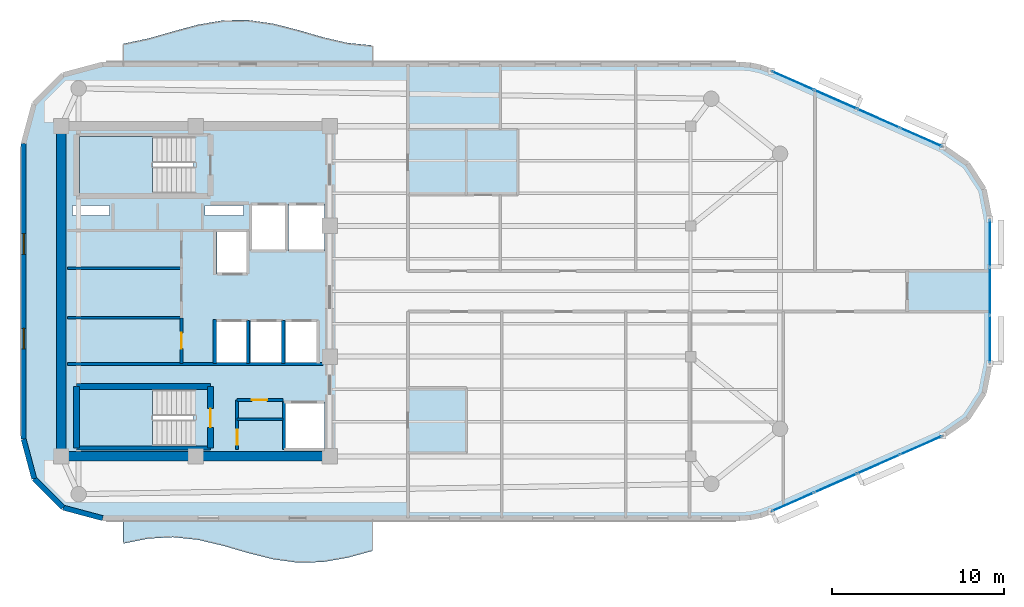
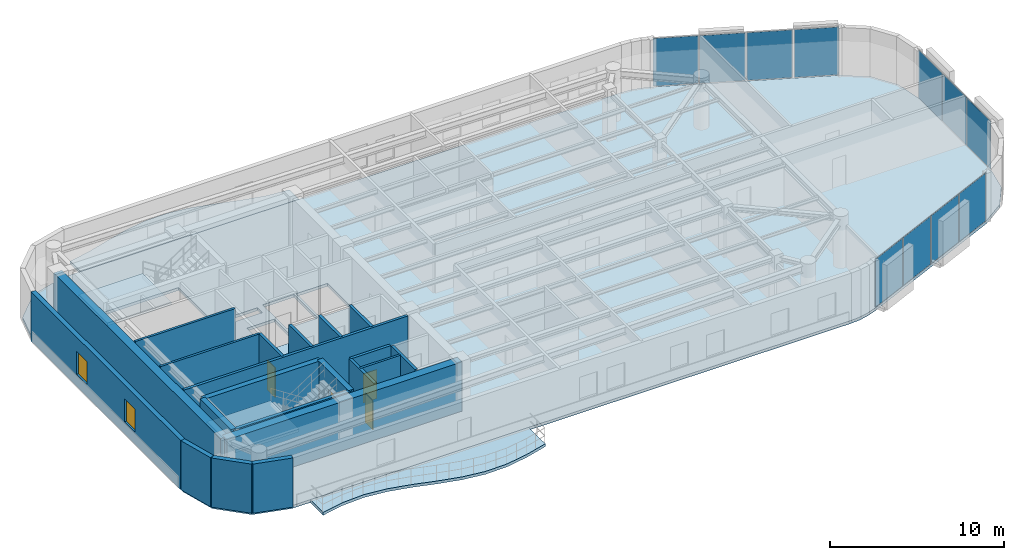
# One storey, part 7 of 14: 21 walls, 11 plates, 5 slabs, 4 doors, 2 windows, 6 openings, 5 elements without a shape of their own.
"""IFC4 building model written with IfcOpenShell, lengths in metres."""

from ifc_helpers import new_model, si_unit, direction, frame, frame_2d, origin, origin_2d, place, context, subcontext, project, spatial, polyline, rectangle, outline, extrude, material, layer, layer_set, type_object, element, fill, aggregate, save


model = new_model("IFC4")

# Units and contexts
model_context = context("Model", 3, precision=1e-05, world=origin(), true_north=direction((0.0, 1.0)))
body_context = subcontext(model_context, "Body", "Model", "MODEL_VIEW")
ifc_project = project(units=[si_unit("LENGTHUNIT", "METRE"), si_unit("AREAUNIT", "SQUARE_METRE"), si_unit("VOLUMEUNIT", "CUBIC_METRE"), si_unit("PLANEANGLEUNIT", "RADIAN"), si_unit("MASSUNIT", "GRAM", prefix="KILO")], contexts=[model_context])

# Site, building, storey
site_placement = place(None, origin())
site = spatial("IfcSite", under=ifc_project, at=site_placement, CompositionType="ELEMENT")
building_placement = place(site_placement, origin())
building = spatial("IfcBuilding", under=site, at=building_placement, Name="An Khanh Terracotta Commons", CompositionType="ELEMENT")
storey_placement = place(building_placement, frame((0.0, 0.0, 284.35009765625)))
storey = spatial("IfcBuildingStorey", under=building, at=storey_placement, Name="L74", CompositionType="ELEMENT", Elevation=284.35009765625)

# Curtain wall, plates
ifc_material_1 = material(Name="Anodised Aluminium 6063-T6", Category="aluminium")
ifc_layer_1 = layer(ifc_material_1, 0.2099609375, Name="Anodised Aluminium 6063-T6")
ifc_layer_set_1 = layer_set([ifc_layer_1], Name="Anodised Aluminium 6063-T6")
curtain_wall_type = type_object("IfcCurtainWallType", Name="CW-SYS-03", PredefinedType="USERDEFINED", material=ifc_layer_set_1)
curtain_wall_1_placement = place(storey_placement, origin())
curtain_wall_1 = element("IfcCurtainWall", 1, at=curtain_wall_1_placement, inside=storey, type_object=curtain_wall_type, Name="L74 CW-03 Unitised Curtain Wall CW-L74-08", ObjectType="UNITISED CURTAIN WALL", PredefinedType="USERDEFINED")
ifc_material_2 = material(Name="Acoustic Laminated Low-E Glazing", Category="glass")
ifc_layer_2 = layer(ifc_material_2, 0.035888671875, Name="Acoustic Laminated Low-E Glazing")
ifc_layer_set_2 = layer_set([ifc_layer_2], Name="Acoustic Laminated Low-E Glazing")
plate_type = type_object("IfcPlateType", Name="CWP-IGU-36", PredefinedType="CURTAIN_PANEL", material=ifc_layer_set_2)
plate_1_placement = place(storey_placement, frame((64.149169921875, 11.748046875, 0.0498046875), z_axis=(0.0, 0.0, 1.0), x_axis=(0.914901853201, 0.403676354285, 0.0)))
plate_1 = element("IfcPlate", 2, at=plate_1_placement, type_object=plate_type, Name="CW-03 panel 1.1", PredefinedType="CURTAIN_PANEL", context=body_context, shape_type="SweptSolid", body=[
    extrude(rectangle(XDim=2.619384765625, YDim=0.035888671875, at=origin_2d()), origin(), (0.0, 0.0, 1.0), 3.35009765625),
])
plate_2_placement = place(storey_placement, frame((66.625732421875, 12.840576171875, 0.0498046875), z_axis=(0.0, 0.0, 1.0), x_axis=(0.914901853201, 0.403676354285, 0.0)))
plate_2 = element("IfcPlate", 3, at=plate_2_placement, type_object=plate_type, Name="CW-03 panel 2.1", PredefinedType="CURTAIN_PANEL", context=body_context, shape_type="SweptSolid", body=[
    extrude(rectangle(XDim=2.654296875, YDim=0.035888671875, at=origin_2d()), origin(), (0.0, 0.0, 1.0), 3.35009765625),
])
plate_3_placement = place(storey_placement, frame((69.1181640625, 13.9404296875, 0.0498046875), z_axis=(0.0, 0.0, 1.0), x_axis=(0.914901853201, 0.403676354285, 0.0)))
plate_3 = element("IfcPlate", 4, at=plate_3_placement, type_object=plate_type, Name="CW-03 panel 3.1", PredefinedType="CURTAIN_PANEL", context=body_context, shape_type="SweptSolid", body=[
    extrude(rectangle(XDim=2.654296875, YDim=0.035888671875, at=origin_2d()), origin(), (0.0, 0.0, 1.0), 3.35009765625),
])
plate_4_placement = place(storey_placement, frame((71.5947265625, 15.032958984375, 0.0498046875), z_axis=(0.0, 0.0, 1.0), x_axis=(0.914901853201, 0.403676354285, 0.0)))
plate_4 = element("IfcPlate", 5, at=plate_4_placement, type_object=plate_type, Name="CW-03 panel 4.1", PredefinedType="CURTAIN_PANEL", context=body_context, shape_type="SweptSolid", body=[
    extrude(rectangle(XDim=2.619384765625, YDim=0.035888671875, at=origin_2d()), origin(), (0.0, 0.0, 1.0), 3.35009765625),
])
aggregate(curtain_wall_1, [plate_1, plate_2, plate_3, plate_4])

curtain_wall_2_placement = place(storey_placement, origin())
curtain_wall_2 = element("IfcCurtainWall", 6, at=curtain_wall_2_placement, inside=storey, type_object=curtain_wall_type, Name="L74 CW-03 Unitised Curtain Wall CW-L74-12", ObjectType="UNITISED CURTAIN WALL", PredefinedType="USERDEFINED")
plate_5_placement = place(storey_placement, frame((75.60009765625, 21.216064453125, 0.0498046875), z_axis=(0.0, 0.0, 1.0), x_axis=(0.0, 1.0, 0.0)))
plate_5 = element("IfcPlate", 7, at=plate_5_placement, type_object=plate_type, Name="CW-03 panel 1.1", PredefinedType="CURTAIN_PANEL", context=body_context, shape_type="SweptSolid", body=[
    extrude(rectangle(XDim=2.6962890625, YDim=0.035888671875, at=origin_2d()), origin(), (0.0, 0.0, 1.0), 3.35009765625),
])
plate_6_placement = place(storey_placement, frame((75.60009765625, 24.0, 0.0498046875), z_axis=(0.0, 0.0, 1.0), x_axis=(0.0, 1.0, 0.0)))
plate_6 = element("IfcPlate", 8, at=plate_6_placement, type_object=plate_type, Name="CW-03 panel 2.1", PredefinedType="CURTAIN_PANEL", context=body_context, shape_type="SweptSolid", body=[
    extrude(rectangle(XDim=2.7314453125, YDim=0.035888671875, at=origin_2d()), origin(), (0.0, 0.0, 1.0), 3.35009765625),
])
plate_7_placement = place(storey_placement, frame((75.60009765625, 26.783935546875, 0.0498046875), z_axis=(0.0, 0.0, 1.0), x_axis=(0.0, 1.0, 0.0)))
plate_7 = element("IfcPlate", 9, at=plate_7_placement, type_object=plate_type, Name="CW-03 panel 3.1", PredefinedType="CURTAIN_PANEL", context=body_context, shape_type="SweptSolid", body=[
    extrude(rectangle(XDim=2.6962890625, YDim=0.035888671875, at=origin_2d()), origin(), (0.0, 0.0, 1.0), 3.35009765625),
])
aggregate(curtain_wall_2, [plate_5, plate_6, plate_7])

curtain_wall_3_placement = place(storey_placement, origin())
curtain_wall_3 = element("IfcCurtainWall", 10, at=curtain_wall_3_placement, inside=storey, type_object=curtain_wall_type, Name="L74 CW-03 Unitised Curtain Wall CW-L74-16", ObjectType="UNITISED CURTAIN WALL", PredefinedType="USERDEFINED")
plate_8_placement = place(storey_placement, frame((71.5947265625, 32.967041015625, 0.0498046875), z_axis=(0.0, 0.0, 1.0), x_axis=(-0.914901853201, 0.403676354285, 0.0)))
plate_8 = element("IfcPlate", 11, at=plate_8_placement, type_object=plate_type, Name="CW-03 panel 1.1", PredefinedType="CURTAIN_PANEL", context=body_context, shape_type="SweptSolid", body=[
    extrude(rectangle(XDim=2.619384765625, YDim=0.035888671875, at=origin_2d()), origin(), (0.0, 0.0, 1.0), 3.35009765625),
])
plate_9_placement = place(storey_placement, frame((69.1181640625, 34.0595703125, 0.0498046875), z_axis=(0.0, 0.0, 1.0), x_axis=(-0.914901853201, 0.403676354285, 0.0)))
plate_9 = element("IfcPlate", 12, at=plate_9_placement, type_object=plate_type, Name="CW-03 panel 2.1", PredefinedType="CURTAIN_PANEL", context=body_context, shape_type="SweptSolid", body=[
    extrude(rectangle(XDim=2.654296875, YDim=0.035888671875, at=origin_2d()), origin(), (0.0, 0.0, 1.0), 3.35009765625),
])
plate_10_placement = place(storey_placement, frame((66.625732421875, 35.159423828125, 0.0498046875), z_axis=(0.0, 0.0, 1.0), x_axis=(-0.914901853201, 0.403676354285, 0.0)))
plate_10 = element("IfcPlate", 13, at=plate_10_placement, type_object=plate_type, Name="CW-03 panel 3.1", PredefinedType="CURTAIN_PANEL", context=body_context, shape_type="SweptSolid", body=[
    extrude(rectangle(XDim=2.654296875, YDim=0.035888671875, at=origin_2d()), origin(), (0.0, 0.0, 1.0), 3.35009765625),
])
plate_11_placement = place(storey_placement, frame((64.149169921875, 36.251953125, 0.0498046875), z_axis=(0.0, 0.0, 1.0), x_axis=(-0.914901853201, 0.403676354285, 0.0)))
plate_11 = element("IfcPlate", 14, at=plate_11_placement, type_object=plate_type, Name="CW-03 panel 4.1", PredefinedType="CURTAIN_PANEL", context=body_context, shape_type="SweptSolid", body=[
    extrude(rectangle(XDim=2.619384765625, YDim=0.035888671875, at=origin_2d()), origin(), (0.0, 0.0, 1.0), 3.35009765625),
])
aggregate(curtain_wall_3, [plate_8, plate_9, plate_10, plate_11])

# Slabs
ifc_material_3 = material(Name="Concrete C40/50", Category="concrete")
ifc_layer_3 = layer(ifc_material_3, 0.199951171875, Name="Concrete C40/50")
ifc_layer_set_3 = layer_set([ifc_layer_3], Name="Concrete C40/50")
slab_type_1 = type_object("IfcSlabType", Name="SLAB-BALC-200", PredefinedType="FLOOR", material=ifc_layer_set_3)
slab_1_placement = place(storey_placement, frame((0.0, 0.0, -0.2001953125)))
element("IfcSlab", 15, at=slab_1_placement, inside=storey, type_object=slab_type_1, Name="L74 S Sinusoidal Wave Balcony Slab", PredefinedType="FLOOR", context=body_context, shape_type="SweptSolid", body=[
    extrude(outline(polyline([(25.199951171875, 10.800048828125), (25.199951171875, 9.324951171875), (26.64990234375, 9.615966796875), (28.10009765625, 9.697021484375), (29.550048828125, 9.5419921875), (31.0, 9.199951171875), (32.449951171875, 8.780029296875), (33.89990234375, 8.4130859375), (35.35009765625, 8.215087890625), (36.800048828125, 8.25), (38.25, 8.5048828125), (39.699951171875, 8.90087890625), (39.699951171875, 10.800048828125), (25.199951171875, 10.800048828125)])), origin(), (0.0, 0.0, 1.0), 0.2001953125),
])
slab_2_placement = place(storey_placement, frame((0.0, 0.0, -0.2001953125)))
element("IfcSlab", 16, at=slab_2_placement, inside=storey, type_object=slab_type_1, Name="L74 N Sinusoidal Wave Balcony Slab", PredefinedType="FLOOR", context=body_context, shape_type="SweptSolid", body=[
    extrude(outline(polyline([(39.699951171875, 37.199951171875), (39.699951171875, 38.302001953125), (38.25, 38.446044921875), (36.800048828125, 38.781005859375), (35.35009765625, 39.200927734375), (33.89990234375, 39.572998046875), (32.449951171875, 39.780029296875), (31.0, 39.757080078125), (29.550048828125, 39.510009765625), (28.10009765625, 39.118896484375), (26.64990234375, 38.705078125), (25.199951171875, 38.39990234375), (25.199951171875, 37.199951171875), (39.699951171875, 37.199951171875)])), origin(), (0.0, 0.0, 1.0), 0.2001953125),
])

# Stair, slab
ifc_material_4 = material(Name="Precast concrete C40/50", Category="concrete")
stair_type = type_object("IfcStairType", Name="STAIR-CORE-1550", PredefinedType="HALF_TURN_STAIR", material=ifc_material_4)
stair_1_placement = place(storey_placement, origin())
stair_1 = element("IfcStair", 17, at=stair_1_placement, inside=storey, type_object=stair_type, Name="L74 Core Smokeproof Exit Stair ST-01", PredefinedType="HALF_TURN_STAIR")
ifc_layer_4 = layer(ifc_material_3, 0.18994140625, Name="Concrete C40/50")
ifc_layer_set_4 = layer_set([ifc_layer_4], Name="Concrete C40/50")
slab_type_2 = type_object("IfcSlabType", Name="SLAB-LANDING-190", PredefinedType="LANDING", material=ifc_layer_set_4)
slab_3_placement = place(storey_placement, frame((0.0, 0.0, 1.625)))
slab_3 = element("IfcSlab", 18, at=slab_3_placement, type_object=slab_type_2, Name="ST-01 landing 1", PredefinedType="LANDING", context=body_context, shape_type="SweptSolid", body=[
    extrude(outline(polyline([(26.889892578125, 33.0), (22.64990234375, 33.0), (22.64990234375, 29.699951171875), (26.889892578125, 29.699951171875), (26.889892578125, 33.0)])), origin(), (0.0, 0.0, 1.0), 0.199951171875),
])
aggregate(stair_1, [slab_3])

stair_2_placement = place(storey_placement, origin())
stair_2 = element("IfcStair", 19, at=stair_2_placement, inside=storey, type_object=stair_type, Name="L74 Core Smokeproof Exit Stair ST-02", PredefinedType="HALF_TURN_STAIR")
slab_4_placement = place(storey_placement, frame((0.0, 0.0, 1.625)))
slab_4 = element("IfcSlab", 20, at=slab_4_placement, type_object=slab_type_2, Name="ST-02 landing 1", PredefinedType="LANDING", context=body_context, shape_type="SweptSolid", body=[
    extrude(outline(polyline([(26.889892578125, 18.300048828125), (22.64990234375, 18.300048828125), (22.64990234375, 15.0), (26.889892578125, 15.0), (26.889892578125, 18.300048828125)])), origin(), (0.0, 0.0, 1.0), 0.199951171875),
])
aggregate(stair_2, [slab_4])

# Slab
ifc_layer_5 = layer(ifc_material_3, 0.199951171875, Name="Concrete C40/50")
ifc_layer_set_5 = layer_set([ifc_layer_5], Name="Concrete C40/50")
slab_type_3 = type_object("IfcSlabType", Name="SLAB-TYP-200", PredefinedType="FLOOR", material=ifc_layer_set_5)
slab_5_placement = place(storey_placement, frame((0.0, 0.0, -0.2001953125)))
element("IfcSlab", 21, at=slab_5_placement, inside=storey, type_object=slab_type_3, Name="L74 Structural Floor Slab", PredefinedType="FLOOR", context=body_context, shape_type="SweptSolid", body=[
    extrude(outline(polyline([(19.39990234375, 15.39990234375), (20.01611328125, 13.10009765625), (21.699951171875, 11.416015625), (24.0, 10.800048828125), (61.030029296875, 10.800048828125), (61.6650390625, 10.843994140625), (62.2880859375, 10.97509765625), (62.886962890625, 11.19091796875), (72.85693359375, 15.590087890625), (74.302001953125, 16.594970703125), (75.262939453125, 18.070068359375), (75.60009765625, 19.798095703125), (75.60009765625, 28.201904296875), (75.262939453125, 29.929931640625), (74.302001953125, 31.405029296875), (72.85693359375, 32.409912109375), (62.886962890625, 36.80908203125), (62.2880859375, 37.02490234375), (61.6650390625, 37.156005859375), (61.030029296875, 37.199951171875), (24.0, 37.199951171875), (21.699951171875, 36.583984375), (20.01611328125, 34.89990234375), (19.39990234375, 32.60009765625), (19.39990234375, 15.39990234375)]), holes=[polyline([(22.64990234375, 29.699951171875), (29.27001953125, 29.699951171875), (29.27001953125, 33.0), (22.64990234375, 33.0), (22.64990234375, 29.699951171875)]), polyline([(22.64990234375, 15.0), (29.27001953125, 15.0), (29.27001953125, 18.300048828125), (22.64990234375, 18.300048828125), (22.64990234375, 15.0)]), polyline([(32.60009765625, 26.35009765625), (34.679931640625, 26.35009765625), (34.679931640625, 29.080078125), (32.60009765625, 29.080078125), (32.60009765625, 26.35009765625)]), polyline([(34.820068359375, 26.35009765625), (36.89990234375, 26.35009765625), (36.89990234375, 29.080078125), (34.820068359375, 29.080078125), (34.820068359375, 26.35009765625)]), polyline([(34.550048828125, 14.800048828125), (36.89990234375, 14.800048828125), (36.89990234375, 17.550048828125), (34.550048828125, 17.550048828125), (34.550048828125, 14.800048828125)]), polyline([(30.639892578125, 25.0), (32.4599609375, 25.0), (32.4599609375, 27.5), (30.639892578125, 27.5), (30.639892578125, 25.0)]), polyline([(30.56005859375, 19.800048828125), (32.4599609375, 19.800048828125), (32.4599609375, 22.300048828125), (30.56005859375, 22.300048828125), (30.56005859375, 19.800048828125)]), polyline([(32.60009765625, 19.800048828125), (34.5, 19.800048828125), (34.5, 22.300048828125), (32.60009765625, 22.300048828125), (32.60009765625, 19.800048828125)]), polyline([(34.639892578125, 19.800048828125), (36.5400390625, 19.800048828125), (36.5400390625, 22.300048828125), (34.639892578125, 22.300048828125), (34.639892578125, 19.800048828125)]), polyline([(22.25, 28.419921875), (24.39990234375, 28.419921875), (24.39990234375, 28.97998046875), (22.25, 28.97998046875), (22.25, 28.419921875)]), polyline([(29.949951171875, 28.419921875), (32.199951171875, 28.419921875), (32.199951171875, 28.97998046875), (29.949951171875, 28.97998046875), (29.949951171875, 28.419921875)])]), origin(), (0.0, 0.0, 1.0), 0.2001953125),
])

# Walls
ifc_material_5 = material(Name="Concrete C50/60", Category="concrete")
ifc_layer_6 = layer(ifc_material_5, 0.550048828125, Name="Concrete C50/60")
ifc_layer_set_6 = layer_set([ifc_layer_6], Name="Concrete C50/60")
wall_type_1 = type_object("IfcWallType", Name="WALL-CORE-550", PredefinedType="SHEAR", material=ifc_layer_set_6)
wall_1_placement = place(storey_placement, frame((21.60009765625, 14.39990234375, 0.0), z_axis=(0.0, 0.0, 1.0), x_axis=(0.0, 1.0, 0.0)))
element("IfcWall", 22, at=wall_1_placement, inside=storey, type_object=wall_type_1, Name="L74 Core Wall CWALL-L74-W", PredefinedType="SHEAR", context=body_context, shape_type="SweptSolid", body=[
    extrude(rectangle(XDim=19.2001953125, YDim=0.550048828125, at=frame_2d((9.60009765625, 0.0))), origin(), (0.0, 0.0, 1.0), 3.449951171875),
])
wall_2_placement = place(storey_placement, frame((37.199951171875, 14.39990234375, 0.0), z_axis=(0.0, 0.0, 1.0), x_axis=(-1.0, 0.0, 0.0)))
element("IfcWall", 23, at=wall_2_placement, inside=storey, type_object=wall_type_1, Name="L74 Core Wall CWALL-L74-S", PredefinedType="SHEAR", context=body_context, shape_type="SweptSolid", body=[
    extrude(rectangle(XDim=15.599853515625, YDim=0.550048828125, at=frame_2d((7.7998046875, 0.0))), origin(), (0.0, 0.0, 1.0), 3.449951171875),
])
ifc_material_6 = material(Name="Fire-Rated Gypsum Board on Steel Stud", Category="steel")
ifc_layer_7 = layer(ifc_material_6, 0.179931640625, Name="Fire-Rated Gypsum Board on Steel Stud")
ifc_layer_set_7 = layer_set([ifc_layer_7], Name="Fire-Rated Gypsum Board on Steel Stud")
wall_type_2 = type_object("IfcWallType", Name="WALL-CORR-180", PredefinedType="PARTITIONING", material=ifc_layer_set_7)
wall_3_placement = place(storey_placement, frame((21.949951171875, 19.760009765625, 0.0), z_axis=(0.0, 0.0, 1.0), x_axis=(1.0, 0.0, 0.0)))
element("IfcWall", 24, at=wall_3_placement, inside=storey, type_object=wall_type_2, Name="L74 Core Wall SVW-L74-N", PredefinedType="PARTITIONING", context=body_context, shape_type="SweptSolid", body=[
    extrude(rectangle(XDim=14.8701171875, YDim=0.179931640625, at=frame_2d((7.43505859375, 0.0))), origin(), (0.0, 0.0, 1.0), 3.449951171875),
])

# Wall, opening, door
wall_4_placement = place(storey_placement, frame((31.820068359375, 17.679931640625, 0.0), z_axis=(0.0, 0.0, 1.0), x_axis=(1.0, 0.0, 0.0)))
wall_4 = element("IfcWall", 25, at=wall_4_placement, inside=storey, type_object=wall_type_2, Name="L74 Core Wall SSVCW-L74-N", PredefinedType="PARTITIONING", context=body_context, shape_type="SweptSolid", body=[
    extrude(rectangle(XDim=2.659912109375, YDim=0.179931640625, at=frame_2d((1.330078125, 0.0))), origin(), (0.0, 0.0, 1.0), 3.449951171875),
])
opening_1_placement = place(wall_4_placement, frame((0.85009765625, 0.0, 0.0)))
opening_1 = element("IfcOpeningElement", 26, at=opening_1_placement, cuts=wall_4, Name="Opening D-SV", PredefinedType="OPENING", context=body_context, shape_type="SweptSolid", body=[
    extrude(rectangle(XDim=0.89990234375, YDim=2.050048828125, at=frame_2d((0.449951171875, 1.02490234375))), frame((0.0, 0.099853515625, 0.0), z_axis=(0.0, -1.0, 0.0), x_axis=(1.0, 0.0, 0.0)), (0.0, 0.0, 1.0), 0.199951171875),
])
ifc_material_7 = material(Name="Fire-Rated Powder-Coated Steel Door", Category="steel")
door_type_1 = type_object("IfcDoorType", Name="DOOR-SERV-900", OperationType="NOTDEFINED", PredefinedType="DOOR", material=ifc_material_7)
door_1_placement = place(opening_1_placement, origin())
door_1 = element("IfcDoor", 27, at=door_1_placement, inside=storey, type_object=door_type_1, Name="L74 Core Cleaner Store Door", OperationType="SINGLE_SWING_RIGHT", OverallHeight=2.050048828125, OverallWidth=0.89990234375, PredefinedType="DOOR", context=body_context, shape_type="SweptSolid", body=[
    extrude(rectangle(XDim=0.89990234375, YDim=2.050048828125, at=frame_2d((0.449951171875, 1.02490234375))), frame((0.0, 0.02490234375, 0.0), z_axis=(0.0, -1.0, 0.0), x_axis=(1.0, 0.0, 0.0)), (0.0, 0.0, 1.0), 0.050048828125),
])
fill(opening_1, door_1)

wall_5_placement = place(storey_placement, frame((31.820068359375, 14.800048828125, 0.0), z_axis=(0.0, 0.0, 1.0), x_axis=(0.0, 1.0, 0.0)))
wall_5 = element("IfcWall", 28, at=wall_5_placement, inside=storey, type_object=wall_type_2, Name="L74 Core Wall SSVCW-L74-W", PredefinedType="PARTITIONING", context=body_context, shape_type="SweptSolid", body=[
    extrude(rectangle(XDim=2.8798828125, YDim=0.179931640625, at=frame_2d((1.43994140625, 0.0))), origin(), (0.0, 0.0, 1.0), 3.449951171875),
])
opening_2_placement = place(wall_5_placement, frame((0.260009765625, 0.0, 0.0)))
opening_2 = element("IfcOpeningElement", 29, at=opening_2_placement, cuts=wall_5, Name="Opening D-SV", PredefinedType="OPENING", context=body_context, shape_type="SweptSolid", body=[
    extrude(rectangle(XDim=0.89990234375, YDim=2.050048828125, at=frame_2d((0.449951171875, 1.02490234375))), frame((0.0, 0.099853515625, 0.0), z_axis=(0.0, -1.0, 0.0), x_axis=(1.0, 0.0, 0.0)), (0.0, 0.0, 1.0), 0.199951171875),
])
door_2_placement = place(opening_2_placement, origin())
door_2 = element("IfcDoor", 30, at=door_2_placement, inside=storey, type_object=door_type_1, Name="L74 Telecoms BMS Cupboard Door", OperationType="SINGLE_SWING_LEFT", OverallHeight=2.050048828125, OverallWidth=0.89990234375, PredefinedType="DOOR", context=body_context, shape_type="SweptSolid", body=[
    extrude(rectangle(XDim=0.89990234375, YDim=2.050048828125, at=frame_2d((0.449951171875, 1.02490234375))), frame((0.0, 0.02490234375, 0.0), z_axis=(0.0, -1.0, 0.0), x_axis=(1.0, 0.0, 0.0)), (0.0, 0.0, 1.0), 0.050048828125),
])
fill(opening_2, door_2)

# Walls
wall_6_placement = place(storey_placement, frame((34.550048828125, 17.550048828125, 0.0), z_axis=(0.0, 0.0, 1.0), x_axis=(0.0, -1.0, 0.0)))
element("IfcWall", 31, at=wall_6_placement, inside=storey, type_object=wall_type_2, Name="L74 Core Wall LSH-L74-SVL-01-W", PredefinedType="PARTITIONING", context=body_context, shape_type="SweptSolid", body=[
    extrude(rectangle(XDim=2.75, YDim=0.179931640625, at=frame_2d((1.375, 0.0))), origin(), (0.0, 0.0, 1.0), 3.449951171875),
])
for number, where, z_axis, x_axis, name in (
    (32, (32.4599609375, 19.800048828125, 0.0), (0.0, 0.0, 1.0), (0.0, 1.0, 0.0), "L74 Core Wall LSH-L74-PL-H2-E"),
    (33, (34.5, 19.800048828125, 0.0), (0.0, 0.0, 1.0), (0.0, 1.0, 0.0), "L74 Core Wall LSH-L74-PL-H3-E"),
):
    element("IfcWall", number, at=place(storey_placement, frame(where, z_axis=z_axis, x_axis=x_axis)), inside=storey, type_object=wall_type_2, Name=name, PredefinedType="PARTITIONING", context=body_context, shape_type="SweptSolid", body=[
        extrude(rectangle(XDim=2.5, YDim=0.179931640625, at=frame_2d((1.25, 0.0))), origin(), (0.0, 0.0, 1.0), 3.449951171875),
    ])
wall_7_placement = place(storey_placement, frame((30.52001953125, 19.800048828125, 0.0), z_axis=(0.0, 0.0, 1.0), x_axis=(0.0, 1.0, 0.0)))
element("IfcWall", 34, at=wall_7_placement, inside=storey, type_object=wall_type_2, Name="L74 Core Wall RECW-L74-BE2", PredefinedType="PARTITIONING", context=body_context, shape_type="SweptSolid", body=[
    extrude(rectangle(XDim=2.550048828125, YDim=0.179931640625, at=frame_2d((1.27490234375, 0.0))), origin(), (0.0, 0.0, 1.0), 3.449951171875),
])

# Wall, opening, door
wall_8_placement = place(storey_placement, frame((28.580078125, 19.800048828125, 0.0), z_axis=(0.0, 0.0, 1.0), x_axis=(0.0, 1.0, 0.0)))
wall_8 = element("IfcWall", 35, at=wall_8_placement, inside=storey, type_object=wall_type_2, Name="L74 Core Wall RECW-L74-E3", PredefinedType="PARTITIONING", context=body_context, shape_type="SweptSolid", body=[
    extrude(rectangle(XDim=2.64990234375, YDim=0.179931640625, at=frame_2d((1.324951171875, 0.0))), origin(), (0.0, 0.0, 1.0), 3.449951171875),
])
opening_3_placement = place(wall_8_placement, frame((0.864990234375, 0.0, 0.0)))
opening_3 = element("IfcOpeningElement", 36, at=opening_3_placement, cuts=wall_8, Name="Opening D-RM", PredefinedType="OPENING", context=body_context, shape_type="SweptSolid", body=[
    extrude(rectangle(XDim=0.919921875, YDim=2.10009765625, at=frame_2d((0.4599609375, 1.050048828125))), frame((0.0, 0.099853515625, 0.0), z_axis=(0.0, -1.0, 0.0), x_axis=(1.0, 0.0, 0.0)), (0.0, 0.0, 1.0), 0.199951171875),
])
ifc_material_8 = material(Name="Engineered Hardwood Timber Leaf", Category="wood")
door_type_2 = type_object("IfcDoorType", Name="DOOR-INT-920", OperationType="NOTDEFINED", PredefinedType="DOOR", material=ifc_material_8)
door_3_placement = place(opening_3_placement, origin())
door_3 = element("IfcDoor", 37, at=door_3_placement, inside=storey, type_object=door_type_2, Name="L74 Communal Laundry Room Door", OperationType="SINGLE_SWING_RIGHT", OverallHeight=2.10009765625, OverallWidth=0.919921875, PredefinedType="DOOR", context=body_context, shape_type="SweptSolid", body=[
    extrude(rectangle(XDim=0.919921875, YDim=2.10009765625, at=frame_2d((0.4599609375, 1.050048828125))), frame((0.0, 0.02490234375, 0.0), z_axis=(0.0, -1.0, 0.0), x_axis=(1.0, 0.0, 0.0)), (0.0, 0.0, 1.0), 0.050048828125),
])
fill(opening_3, door_3)

# Walls
ifc_layer_8 = layer(ifc_material_4, 0.300048828125, Name="Precast concrete C40/50")
ifc_layer_set_8 = layer_set([ifc_layer_8], Name="Precast concrete C40/50")
wall_type_3 = type_object("IfcWallType", Name="WALL-EXT-300", PredefinedType="SOLIDWALL", material=ifc_layer_set_8)
wall_9_placement = place(storey_placement, frame((19.39990234375, 15.39990234375, 0.0), z_axis=(0.0, 0.0, 1.0), x_axis=(0.258811258154, -0.965927912762, 0.0)))
element("IfcWall", 38, at=wall_9_placement, inside=storey, type_object=wall_type_3, Name="L74 Insulated Terracotta Exterior Wall 1", PredefinedType="SOLIDWALL", context=body_context, shape_type="SweptSolid", body=[
    extrude(rectangle(XDim=2.380859375, YDim=0.300048828125, at=frame_2d((1.1904296875, 0.0))), origin(), (0.0, 0.0, 1.0), 3.449951171875),
])
wall_10_placement = place(storey_placement, frame((20.01611328125, 13.10009765625, 0.0), z_axis=(0.0, 0.0, 1.0), x_axis=(0.707055521135, -0.707158037522, 0.0)))
element("IfcWall", 39, at=wall_10_placement, inside=storey, type_object=wall_type_3, Name="L74 Insulated Terracotta Exterior Wall 2", PredefinedType="SOLIDWALL", context=body_context, shape_type="SweptSolid", body=[
    extrude(rectangle(XDim=2.381591796875, YDim=0.300048828125, at=frame_2d((1.19091796875, 0.0))), origin(), (0.0, 0.0, 1.0), 3.449951171875),
])
wall_11_placement = place(storey_placement, frame((21.699951171875, 11.416015625, 0.0), z_axis=(0.0, 0.0, 1.0), x_axis=(0.965960405575, -0.25868995895, 0.0)))
element("IfcWall", 40, at=wall_11_placement, inside=storey, type_object=wall_type_3, Name="L74 Insulated Terracotta Exterior Wall 3", PredefinedType="SOLIDWALL", context=body_context, shape_type="SweptSolid", body=[
    extrude(rectangle(XDim=2.381103515625, YDim=0.300048828125, at=frame_2d((1.1904296875, 0.0))), origin(), (0.0, 0.0, 1.0), 3.449951171875),
])

# Wall, openings, windows
wall_12_placement = place(storey_placement, frame((19.39990234375, 32.60009765625, 0.0), z_axis=(0.0, 0.0, 1.0), x_axis=(0.0, -1.0, 0.0)))
wall_12 = element("IfcWall", 41, at=wall_12_placement, inside=storey, type_object=wall_type_3, Name="L74 Insulated Terracotta Exterior Wall 24", PredefinedType="SOLIDWALL", context=body_context, shape_type="SweptSolid", body=[
    extrude(rectangle(XDim=17.2001953125, YDim=0.300048828125, at=frame_2d((8.60009765625, 0.0))), origin(), (0.0, 0.0, 1.0), 3.449951171875),
])
opening_4_placement = place(wall_12_placement, frame((5.25, 0.0, 0.85009765625)))
opening_4 = element("IfcOpeningElement", 42, at=opening_4_placement, cuts=wall_12, Name="Opening W-05", PredefinedType="OPENING", context=body_context, shape_type="SweptSolid", body=[
    extrude(rectangle(XDim=1.199951171875, YDim=1.60009765625, at=frame_2d((0.60009765625, 0.800048828125))), frame((0.0, 0.159912109375, 0.0), z_axis=(0.0, -1.0, 0.0), x_axis=(1.0, 0.0, 0.0)), (0.0, 0.0, 1.0), 0.320068359375),
])
opening_5_placement = place(wall_12_placement, frame((10.75, 0.0, 0.85009765625)))
opening_5 = element("IfcOpeningElement", 43, at=opening_5_placement, cuts=wall_12, Name="Opening W-05", PredefinedType="OPENING", context=body_context, shape_type="SweptSolid", body=[
    extrude(rectangle(XDim=1.199951171875, YDim=1.60009765625, at=frame_2d((0.60009765625, 0.800048828125))), frame((0.0, 0.159912109375, 0.0), z_axis=(0.0, -1.0, 0.0), x_axis=(1.0, 0.0, 0.0)), (0.0, 0.0, 1.0), 0.320068359375),
])
ifc_material_9 = material(Name="Thermally Broken Aluminium and Low-E Glass", Category="aluminium")
window_type = type_object("IfcWindowType", Name="WIN-Z5-1200x1600", PartitioningType="SINGLE_PANEL", PredefinedType="WINDOW", material=ifc_material_9)
window_1_placement = place(opening_4_placement, origin())
window_1 = element("IfcWindow", 44, at=window_1_placement, inside=storey, type_object=window_type, Name="L74 Operable Casement Window 24.1", OverallHeight=1.60009765625, OverallWidth=1.199951171875, PartitioningType="SINGLE_PANEL", PredefinedType="WINDOW", context=body_context, shape_type="SweptSolid", body=[
    extrude(rectangle(XDim=1.199951171875, YDim=1.60009765625, at=frame_2d((0.60009765625, 0.800048828125))), frame((0.0, 0.030029296875, 0.0), z_axis=(0.0, -1.0, 0.0), x_axis=(1.0, 0.0, 0.0)), (0.0, 0.0, 1.0), 0.06005859375),
])
fill(opening_4, window_1)
window_2_placement = place(opening_5_placement, origin())
window_2 = element("IfcWindow", 45, at=window_2_placement, inside=storey, type_object=window_type, Name="L74 Operable Casement Window 24.2", OverallHeight=1.60009765625, OverallWidth=1.199951171875, PartitioningType="SINGLE_PANEL", PredefinedType="WINDOW", context=body_context, shape_type="SweptSolid", body=[
    extrude(rectangle(XDim=1.199951171875, YDim=1.60009765625, at=frame_2d((0.60009765625, 0.800048828125))), frame((0.0, 0.030029296875, 0.0), z_axis=(0.0, -1.0, 0.0), x_axis=(1.0, 0.0, 0.0)), (0.0, 0.0, 1.0), 0.06005859375),
])
fill(opening_5, window_2)

# Walls
ifc_material_10 = material(Name="Acoustic Gypsum Board Partition")
ifc_layer_9 = layer(ifc_material_10, 0.14990234375, Name="Acoustic Gypsum Board Partition")
ifc_layer_set_9 = layer_set([ifc_layer_9], Name="Acoustic Gypsum Board Partition")
wall_type_4 = type_object("IfcWallType", Name="WALL-PART-150", PredefinedType="PARTITIONING", material=ifc_layer_set_9)
wall_13_placement = place(storey_placement, frame((31.820068359375, 16.550048828125, 0.0), z_axis=(0.0, 0.0, 1.0), x_axis=(1.0, 0.0, 0.0)))
element("IfcWall", 46, at=wall_13_placement, inside=storey, type_object=wall_type_4, Name="L74 Core Wall SSVCW-L74-M", PredefinedType="PARTITIONING", context=body_context, shape_type="SweptSolid", body=[
    extrude(rectangle(XDim=2.659912109375, YDim=0.14990234375, at=frame_2d((1.330078125, 0.0))), origin(), (0.0, 0.0, 1.0), 3.449951171875),
])
for number, where, z_axis, x_axis, name in (
    (47, (21.949951171875, 25.35009765625, 0.0), (0.0, 0.0, 1.0), (1.0, 0.0, 0.0), "L74 Core Wall RECW-L74-H1"),
    (48, (21.949951171875, 22.449951171875, 0.0), (0.0, 0.0, 1.0), (1.0, 0.0, 0.0), "L74 Core Wall RECW-L74-H2"),
):
    element("IfcWall", number, at=place(storey_placement, frame(where, z_axis=z_axis, x_axis=x_axis)), inside=storey, type_object=wall_type_4, Name=name, PredefinedType="PARTITIONING", context=body_context, shape_type="SweptSolid", body=[
        extrude(rectangle(XDim=6.630126953125, YDim=0.14990234375, at=frame_2d((3.31494140625, 0.0))), origin(), (0.0, 0.0, 1.0), 3.449951171875),
    ])
ifc_material_11 = material(Name="Acoustic Double-Stud Gypsum and Mineral Wool")
ifc_layer_10 = layer(ifc_material_11, 0.219970703125, Name="Acoustic Double-Stud Gypsum and Mineral Wool")
ifc_layer_set_10 = layer_set([ifc_layer_10], Name="Acoustic Double-Stud Gypsum and Mineral Wool")
wall_type_5 = type_object("IfcWallType", Name="WALL-PARTY-220", PredefinedType="PARTITIONING", material=ifc_layer_set_10)
wall_14_placement = place(storey_placement, frame((22.47998046875, 14.889892578125, 0.0), z_axis=(0.0, 0.0, 1.0), x_axis=(1.0, 0.0, 0.0)))
element("IfcWall", 49, at=wall_14_placement, inside=storey, type_object=wall_type_5, Name="L74 Core Wall STW-L74-S-S", PredefinedType="PARTITIONING", context=body_context, shape_type="SweptSolid", body=[
    extrude(rectangle(XDim=7.7900390625, YDim=0.219970703125, at=frame_2d((3.89501953125, 0.0))), origin(), (0.0, 0.0, 1.0), 3.449951171875),
])
ifc_layer_11 = layer(ifc_material_5, 0.35009765625, Name="Concrete C50/60")
ifc_layer_set_11 = layer_set([ifc_layer_11], Name="Concrete C50/60")
wall_type_6 = type_object("IfcWallType", Name="WALL-SHAFT-350", PredefinedType="SOLIDWALL", material=ifc_layer_set_11)
wall_15_placement = place(storey_placement, frame((22.47998046875, 18.469970703125, 0.0), z_axis=(0.0, 0.0, 1.0), x_axis=(1.0, 0.0, 0.0)))
element("IfcWall", 50, at=wall_15_placement, inside=storey, type_object=wall_type_6, Name="L74 Core Wall STW-L74-S-N", PredefinedType="SOLIDWALL", context=body_context, shape_type="SweptSolid", body=[
    extrude(rectangle(XDim=7.7900390625, YDim=0.35009765625, at=frame_2d((3.89501953125, 0.0))), origin(), (0.0, 0.0, 1.0), 3.449951171875),
])
wall_16_placement = place(storey_placement, frame((22.47998046875, 14.889892578125, 0.0), z_axis=(0.0, 0.0, 1.0), x_axis=(0.0, 1.0, 0.0)))
element("IfcWall", 51, at=wall_16_placement, inside=storey, type_object=wall_type_6, Name="L74 Core Wall STW-L74-S-W", PredefinedType="SOLIDWALL", context=body_context, shape_type="SweptSolid", body=[
    extrude(rectangle(XDim=3.580078125, YDim=0.35009765625, at=frame_2d((1.7900390625, 0.0))), origin(), (0.0, 0.0, 1.0), 3.449951171875),
])

# Wall, opening, door
wall_17_placement = place(storey_placement, frame((30.27001953125, 14.889892578125, 0.0), z_axis=(0.0, 0.0, 1.0), x_axis=(0.0, 1.0, 0.0)))
wall_17 = element("IfcWall", 52, at=wall_17_placement, inside=storey, type_object=wall_type_6, Name="L74 Core Wall STW-L74-S-E", PredefinedType="SOLIDWALL", context=body_context, shape_type="SweptSolid", body=[
    extrude(rectangle(XDim=3.580078125, YDim=0.35009765625, at=frame_2d((1.7900390625, 0.0))), origin(), (0.0, 0.0, 1.0), 3.449951171875),
])
opening_6_placement = place(wall_17_placement, frame((1.18994140625, 0.0, 0.0)))
opening_6 = element("IfcOpeningElement", 53, at=opening_6_placement, cuts=wall_17, Name="Opening D-ST", PredefinedType="OPENING", context=body_context, shape_type="SweptSolid", body=[
    extrude(rectangle(XDim=1.10009765625, YDim=2.14990234375, at=frame_2d((0.550048828125, 1.074951171875))), frame((0.0, 0.18505859375, 0.0), z_axis=(0.0, -1.0, 0.0), x_axis=(1.0, 0.0, 0.0)), (0.0, 0.0, 1.0), 0.3701171875),
])
ifc_material_12 = material(Name="Fire-Rated Steel Leaf and Frame", Category="steel")
door_type_3 = type_object("IfcDoorType", Name="DOOR-STAIR-1100", OperationType="NOTDEFINED", PredefinedType="DOOR", material=ifc_material_12)
door_4_placement = place(opening_6_placement, origin())
door_4 = element("IfcDoor", 54, at=door_4_placement, inside=storey, type_object=door_type_3, Name="L74 Stair ST-02 Fire Door", OperationType="SINGLE_SWING_LEFT", OverallHeight=2.14990234375, OverallWidth=1.10009765625, PredefinedType="DOOR", context=body_context, shape_type="SweptSolid", body=[
    extrude(rectangle(XDim=1.10009765625, YDim=2.14990234375, at=frame_2d((0.550048828125, 1.074951171875))), frame((0.0, 0.02490234375, 0.0), z_axis=(0.0, -1.0, 0.0), x_axis=(1.0, 0.0, 0.0)), (0.0, 0.0, 1.0), 0.050048828125),
])
fill(opening_6, door_4)

save(model, "model.ifc")
